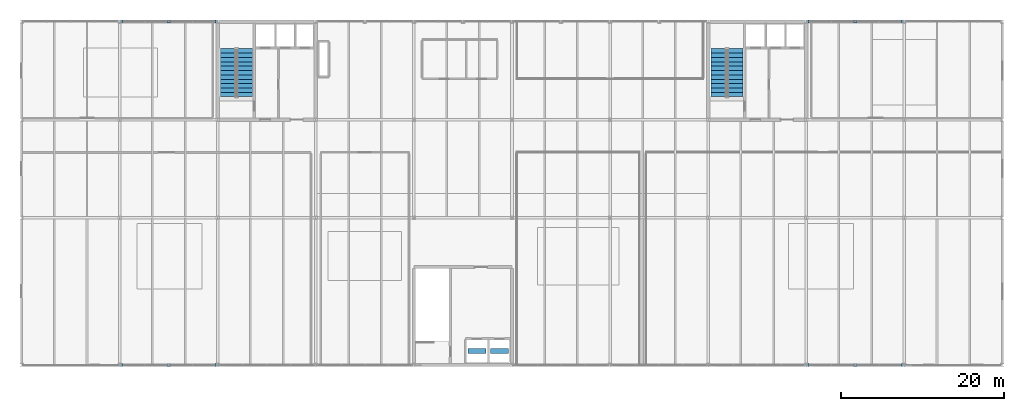
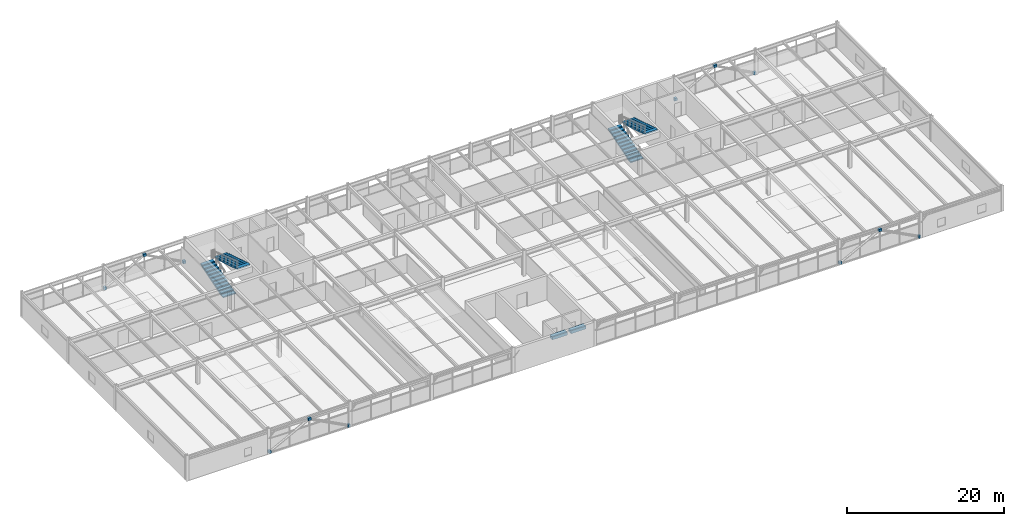
# One storey, part 48 of 52: 14 discrete accessories, 4 stair flights, 2 elements without a shape of their own.
"""IFC4 building model written with IfcOpenShell, lengths in metres."""

from ifc_helpers import new_model, si_unit, direction, frame, origin, origin_2d, place, context, subcontext, project, spatial, polyline, rectangle, outline, extrude, material, type_object, element, aggregate, save


model = new_model("IFC4")

# Units and contexts
model_context = context("Model", 3, precision=1e-05, world=origin(), true_north=direction((0.0, 1.0)))
body_context = subcontext(model_context, "Body", "Model", "MODEL_VIEW")
ifc_project = project(units=[si_unit("LENGTHUNIT", "METRE"), si_unit("AREAUNIT", "SQUARE_METRE"), si_unit("VOLUMEUNIT", "CUBIC_METRE"), si_unit("PLANEANGLEUNIT", "RADIAN"), si_unit("MASSUNIT", "GRAM", prefix="KILO")], contexts=[model_context])

# Site, building, storey
site_placement = place(None, origin())
site = spatial("IfcSite", under=ifc_project, at=site_placement, CompositionType="ELEMENT")
building_placement = place(site_placement, origin())
building = spatial("IfcBuilding", under=site, at=building_placement, Name="Girod Span Mobility Hub", CompositionType="ELEMENT")
storey_placement = place(building_placement, frame((0.0, 0.0, 45.60009765625)))
storey = spatial("IfcBuildingStorey", under=building, at=storey_placement, Name="L11", CompositionType="ELEMENT", Elevation=45.60009765625)

# Stair, stair flights
ifc_material_1 = material(Name="Concrete C40/50", Category="concrete")
stair_type = type_object("IfcStairType", Name="STR-4000-W1860", PredefinedType="HALF_TURN_STAIR", material=ifc_material_1)
stair_1_placement = place(storey_placement, origin())
stair_1 = element("IfcStair", 1, at=stair_1_placement, inside=storey, type_object=stair_type, Name="Exit Stair ST-1 L11", PredefinedType="HALF_TURN_STAIR")
ifc_material_2 = material(Name="Concrete C40/50", Category="concrete")
stair_flight_type = type_object("IfcStairFlightType", Name="STF-2000-W1860", PredefinedType="STRAIGHT", material=ifc_material_2)
stair_flight_1_placement = place(storey_placement, frame((49.25, 59.81005859375, 0.0), z_axis=(0.0, 0.0, 1.0), x_axis=(0.0, 1.0, 0.0)))
stair_flight_1 = element("IfcStairFlight", 2, at=stair_flight_1_placement, type_object=stair_flight_type, Name="Stair ST-1 Flight 1 L11", NumberOfRisers=12, NumberOfTreads=11, PredefinedType="STRAIGHT", RiserHeight=0.16667, TreadLength=0.53455, context=body_context, shape_type="SweptSolid", body=[
    extrude(outline(polyline([(0.0, 0.0), (0.0, 0.166748046875), (0.53466796875, 0.166748046875), (0.53466796875, 0.333251953125), (1.069091796875, 0.333251953125), (1.069091796875, 0.5), (1.603759765625, 0.5), (1.603759765625, 0.666748046875), (2.13818359375, 0.666748046875), (2.13818359375, 0.833251953125), (2.6728515625, 0.833251953125), (2.6728515625, 1.0), (3.207275390625, 1.0), (3.207275390625, 1.166748046875), (3.741943359375, 1.166748046875), (3.741943359375, 1.333251953125), (4.2763671875, 1.333251953125), (4.2763671875, 1.5), (4.81103515625, 1.5), (4.81103515625, 1.666748046875), (5.345458984375, 1.666748046875), (5.345458984375, 1.833251953125), (5.880126953125, 1.833251953125), (5.880126953125, 2.0), (5.880126953125, 1.634521484375), (0.63818359375, 0.0), (0.0, 0.0)])), frame((0.0, 0.93017578125, 0.0), z_axis=(0.0, -1.0, 0.0), x_axis=(1.0, 0.0, 0.0)), (0.0, 0.0, 1.0), 1.860107421875),
])
stair_flight_2_placement = place(storey_placement, frame((51.35009765625, 65.68994140625, 2.0), z_axis=(0.0, 0.0, 1.0), x_axis=(0.0, -1.0, 0.0)))
stair_flight_2 = element("IfcStairFlight", 3, at=stair_flight_2_placement, type_object=stair_flight_type, Name="Stair ST-1 Flight 2 L11", NumberOfRisers=12, NumberOfTreads=11, PredefinedType="STRAIGHT", RiserHeight=0.16667, TreadLength=0.53455, context=body_context, shape_type="SweptSolid", body=[
    extrude(outline(polyline([(0.0, 0.0), (0.0, 0.166748046875), (0.53466796875, 0.166748046875), (0.53466796875, 0.333251953125), (1.069091796875, 0.333251953125), (1.069091796875, 0.5), (1.603759765625, 0.5), (1.603759765625, 0.666748046875), (2.13818359375, 0.666748046875), (2.13818359375, 0.833251953125), (2.6728515625, 0.833251953125), (2.6728515625, 1.0), (3.207275390625, 1.0), (3.207275390625, 1.166748046875), (3.741943359375, 1.166748046875), (3.741943359375, 1.333251953125), (4.2763671875, 1.333251953125), (4.2763671875, 1.5), (4.81103515625, 1.5), (4.81103515625, 1.666748046875), (5.345458984375, 1.666748046875), (5.345458984375, 1.833251953125), (5.880126953125, 1.833251953125), (5.880126953125, 2.0), (5.880126953125, 1.634521484375), (0.63818359375, 0.0), (0.0, 0.0)])), frame((0.0, 0.93017578125, 0.0), z_axis=(0.0, -1.0, 0.0), x_axis=(1.0, 0.0, 0.0)), (0.0, 0.0, 1.0), 1.860107421875),
])
aggregate(stair_1, [stair_flight_1, stair_flight_2])

stair_2_placement = place(storey_placement, origin())
stair_2 = element("IfcStair", 4, at=stair_2_placement, inside=storey, type_object=stair_type, Name="Exit Stair ST-2 L11", PredefinedType="HALF_TURN_STAIR")
stair_flight_3_placement = place(storey_placement, frame((109.25, 59.81005859375, 0.0), z_axis=(0.0, 0.0, 1.0), x_axis=(0.0, 1.0, 0.0)))
stair_flight_3 = element("IfcStairFlight", 5, at=stair_flight_3_placement, type_object=stair_flight_type, Name="Stair ST-2 Flight 1 L11", NumberOfRisers=12, NumberOfTreads=11, PredefinedType="STRAIGHT", RiserHeight=0.16667, TreadLength=0.53455, context=body_context, shape_type="SweptSolid", body=[
    extrude(outline(polyline([(0.0, 0.0), (0.0, 0.166748046875), (0.53466796875, 0.166748046875), (0.53466796875, 0.333251953125), (1.069091796875, 0.333251953125), (1.069091796875, 0.5), (1.603759765625, 0.5), (1.603759765625, 0.666748046875), (2.13818359375, 0.666748046875), (2.13818359375, 0.833251953125), (2.6728515625, 0.833251953125), (2.6728515625, 1.0), (3.207275390625, 1.0), (3.207275390625, 1.166748046875), (3.741943359375, 1.166748046875), (3.741943359375, 1.333251953125), (4.2763671875, 1.333251953125), (4.2763671875, 1.5), (4.81103515625, 1.5), (4.81103515625, 1.666748046875), (5.345458984375, 1.666748046875), (5.345458984375, 1.833251953125), (5.880126953125, 1.833251953125), (5.880126953125, 2.0), (5.880126953125, 1.634521484375), (0.63818359375, 0.0), (0.0, 0.0)])), frame((0.0, 0.93017578125, 0.0), z_axis=(0.0, -1.0, 0.0), x_axis=(1.0, 0.0, 0.0)), (0.0, 0.0, 1.0), 1.860107421875),
])
stair_flight_4_placement = place(storey_placement, frame((111.35009765625, 65.68994140625, 2.0), z_axis=(0.0, 0.0, 1.0), x_axis=(0.0, -1.0, 0.0)))
stair_flight_4 = element("IfcStairFlight", 6, at=stair_flight_4_placement, type_object=stair_flight_type, Name="Stair ST-2 Flight 2 L11", NumberOfRisers=12, NumberOfTreads=11, PredefinedType="STRAIGHT", RiserHeight=0.16667, TreadLength=0.53455, context=body_context, shape_type="SweptSolid", body=[
    extrude(outline(polyline([(0.0, 0.0), (0.0, 0.166748046875), (0.53466796875, 0.166748046875), (0.53466796875, 0.333251953125), (1.069091796875, 0.333251953125), (1.069091796875, 0.5), (1.603759765625, 0.5), (1.603759765625, 0.666748046875), (2.13818359375, 0.666748046875), (2.13818359375, 0.833251953125), (2.6728515625, 0.833251953125), (2.6728515625, 1.0), (3.207275390625, 1.0), (3.207275390625, 1.166748046875), (3.741943359375, 1.166748046875), (3.741943359375, 1.333251953125), (4.2763671875, 1.333251953125), (4.2763671875, 1.5), (4.81103515625, 1.5), (4.81103515625, 1.666748046875), (5.345458984375, 1.666748046875), (5.345458984375, 1.833251953125), (5.880126953125, 1.833251953125), (5.880126953125, 2.0), (5.880126953125, 1.634521484375), (0.63818359375, 0.0), (0.0, 0.0)])), frame((0.0, 0.93017578125, 0.0), z_axis=(0.0, -1.0, 0.0), x_axis=(1.0, 0.0, 0.0)), (0.0, 0.0, 1.0), 1.860107421875),
])
aggregate(stair_2, [stair_flight_3, stair_flight_4])

# Discrete accessories
ifc_material_3 = material(Name="Steel HSS A500 Grade C", Category="steel")
discrete_accessory_type_1 = type_object("IfcDiscreteAccessoryType", Name="ACC-CAP-HSS324", PredefinedType="BRACKET", material=ifc_material_3)
for number, where, z_axis, x_axis, name in (
    (7, (36.16845703125, 27.0, 0.0400390625), (0.0, 0.0, 1.0), (1.0, 0.0, 0.0), "Diagrid Brace End Cap Gusset 4/C-L L11"),
    (8, (47.83154296875, 27.0, 0.0400390625), (0.0, 0.0, 1.0), (1.0, 0.0, 0.0), "Diagrid Brace End Cap Gusset 4/C-R L11"),
):
    element("IfcDiscreteAccessory", number, at=place(storey_placement, frame(where, z_axis=z_axis, x_axis=x_axis)), inside=storey, type_object=discrete_accessory_type_1, Name=name, PredefinedType="BRACKET", context=body_context, shape_type="SweptSolid", body=[
        extrude(rectangle(XDim=0.35693359375, YDim=0.360107421875, at=origin_2d()), origin(), (0.0, 0.0, 1.0), 0.419921875),
    ])
discrete_accessory_1_placement = place(storey_placement, frame((42.0, 27.0, 3.135986328125), z_axis=(0.0, 0.0, 1.0), x_axis=(1.0, 0.0, 0.0)))
element("IfcDiscreteAccessory", 9, at=discrete_accessory_1_placement, inside=storey, type_object=discrete_accessory_type_1, Name="Diagrid Brace Apex End Cap Gusset 4/C-M L11", PredefinedType="BRACKET", context=body_context, shape_type="SweptSolid", body=[
    extrude(rectangle(XDim=0.43994140625, YDim=0.360107421875, at=origin_2d()), origin(), (0.0, 0.0, 1.0), 0.3798828125),
])
for number, where, z_axis, x_axis, name in (
    (10, (120.16845703125, 27.0, 0.0400390625), (0.0, 0.0, 1.0), (1.0, 0.0, 0.0), "Diagrid Brace End Cap Gusset 11/C-L L11"),
    (11, (131.83154296875, 27.0, 0.0400390625), (0.0, 0.0, 1.0), (1.0, 0.0, 0.0), "Diagrid Brace End Cap Gusset 11/C-R L11"),
):
    element("IfcDiscreteAccessory", number, at=place(storey_placement, frame(where, z_axis=z_axis, x_axis=x_axis)), inside=storey, type_object=discrete_accessory_type_1, Name=name, PredefinedType="BRACKET", context=body_context, shape_type="SweptSolid", body=[
        extrude(rectangle(XDim=0.35693359375, YDim=0.360107421875, at=origin_2d()), origin(), (0.0, 0.0, 1.0), 0.419921875),
    ])
discrete_accessory_2_placement = place(storey_placement, frame((126.0, 27.0, 3.135986328125), z_axis=(0.0, 0.0, 1.0), x_axis=(1.0, 0.0, 0.0)))
element("IfcDiscreteAccessory", 12, at=discrete_accessory_2_placement, inside=storey, type_object=discrete_accessory_type_1, Name="Diagrid Brace Apex End Cap Gusset 11/C-M L11", PredefinedType="BRACKET", context=body_context, shape_type="SweptSolid", body=[
    extrude(rectangle(XDim=0.43994140625, YDim=0.360107421875, at=origin_2d()), origin(), (0.0, 0.0, 1.0), 0.3798828125),
])
discrete_accessory_3_placement = place(storey_placement, frame((36.16845703125, 69.0, 0.0400390625), z_axis=(0.0, 0.0, 1.0), x_axis=(1.0, 0.0, 0.0)))
element("IfcDiscreteAccessory", 13, at=discrete_accessory_3_placement, inside=storey, type_object=discrete_accessory_type_1, Name="Diagrid Brace End Cap Gusset 4/F-L L11", PredefinedType="BRACKET", context=body_context, shape_type="SweptSolid", body=[
    extrude(rectangle(XDim=0.35693359375, YDim=0.360107421875, at=origin_2d()), origin(), (0.0, 0.0, 1.0), 0.419921875),
])
discrete_accessory_4_placement = place(storey_placement, frame((47.830078125, 69.0, 0.0400390625), z_axis=(0.0, 0.0, 1.0), x_axis=(1.0, 0.0, 0.0)))
element("IfcDiscreteAccessory", 14, at=discrete_accessory_4_placement, inside=storey, type_object=discrete_accessory_type_1, Name="Diagrid Brace End Cap Gusset 4/F-R L11", PredefinedType="BRACKET", context=body_context, shape_type="SweptSolid", body=[
    extrude(rectangle(XDim=0.359619140625, YDim=0.360107421875, at=origin_2d()), origin(), (0.0, 0.0, 1.0), 0.419921875),
])
discrete_accessory_5_placement = place(storey_placement, frame((42.0, 69.0, 3.196044921875), z_axis=(0.0, 0.0, 1.0), x_axis=(1.0, 0.0, 0.0)))
element("IfcDiscreteAccessory", 15, at=discrete_accessory_5_placement, inside=storey, type_object=discrete_accessory_type_1, Name="Diagrid Brace Apex End Cap Gusset 4/F-M L11", PredefinedType="BRACKET", context=body_context, shape_type="SweptSolid", body=[
    extrude(rectangle(XDim=0.43994140625, YDim=0.360107421875, at=origin_2d()), origin(), (0.0, 0.0, 1.0), 0.3798828125),
])
discrete_accessory_6_placement = place(storey_placement, frame((120.169677734375, 69.0, 0.0400390625), z_axis=(0.0, 0.0, 1.0), x_axis=(1.0, 0.0, 0.0)))
element("IfcDiscreteAccessory", 16, at=discrete_accessory_6_placement, inside=storey, type_object=discrete_accessory_type_1, Name="Diagrid Brace End Cap Gusset 11/F-L L11", PredefinedType="BRACKET", context=body_context, shape_type="SweptSolid", body=[
    extrude(rectangle(XDim=0.359619140625, YDim=0.360107421875, at=origin_2d()), origin(), (0.0, 0.0, 1.0), 0.419921875),
])
discrete_accessory_7_placement = place(storey_placement, frame((131.83154296875, 69.0, 0.0400390625), z_axis=(0.0, 0.0, 1.0), x_axis=(1.0, 0.0, 0.0)))
element("IfcDiscreteAccessory", 17, at=discrete_accessory_7_placement, inside=storey, type_object=discrete_accessory_type_1, Name="Diagrid Brace End Cap Gusset 11/F-R L11", PredefinedType="BRACKET", context=body_context, shape_type="SweptSolid", body=[
    extrude(rectangle(XDim=0.35693359375, YDim=0.360107421875, at=origin_2d()), origin(), (0.0, 0.0, 1.0), 0.419921875),
])
discrete_accessory_8_placement = place(storey_placement, frame((126.0, 69.0, 3.196044921875), z_axis=(0.0, 0.0, 1.0), x_axis=(1.0, 0.0, 0.0)))
element("IfcDiscreteAccessory", 18, at=discrete_accessory_8_placement, inside=storey, type_object=discrete_accessory_type_1, Name="Diagrid Brace Apex End Cap Gusset 11/F-M L11", PredefinedType="BRACKET", context=body_context, shape_type="SweptSolid", body=[
    extrude(rectangle(XDim=0.43994140625, YDim=0.360107421875, at=origin_2d()), origin(), (0.0, 0.0, 1.0), 0.3798828125),
])
ifc_material_4 = material(Name="Steel A992 Grade 50", Category="steel")
discrete_accessory_type_2 = type_object("IfcDiscreteAccessoryType", Name="ACC-LFT-MACH", PredefinedType="USERDEFINED", material=ifc_material_4)
for number, where, z_axis, x_axis, name in (
    (19, (79.719970703125, 28.699951171875, 1.89990234375), (0.0, 0.0, 1.0), (1.0, 0.0, 0.0), "Hoistway Traction Machine LP-5"),
    (20, (82.469970703125, 28.699951171875, 1.89990234375), (0.0, 0.0, 1.0), (1.0, 0.0, 0.0), "Hoistway Traction Machine LP-6"),
):
    element("IfcDiscreteAccessory", number, at=place(storey_placement, frame(where, z_axis=z_axis, x_axis=x_axis)), inside=storey, type_object=discrete_accessory_type_2, Name=name, ObjectType="TRACTION MACHINE", PredefinedType="USERDEFINED", context=body_context, shape_type="SweptSolid", body=[
        extrude(rectangle(XDim=2.18994140625, YDim=0.64990234375, at=origin_2d()), origin(), (0.0, 0.0, 1.0), 0.449951171875),
    ])

save(model, "model.ifc")
